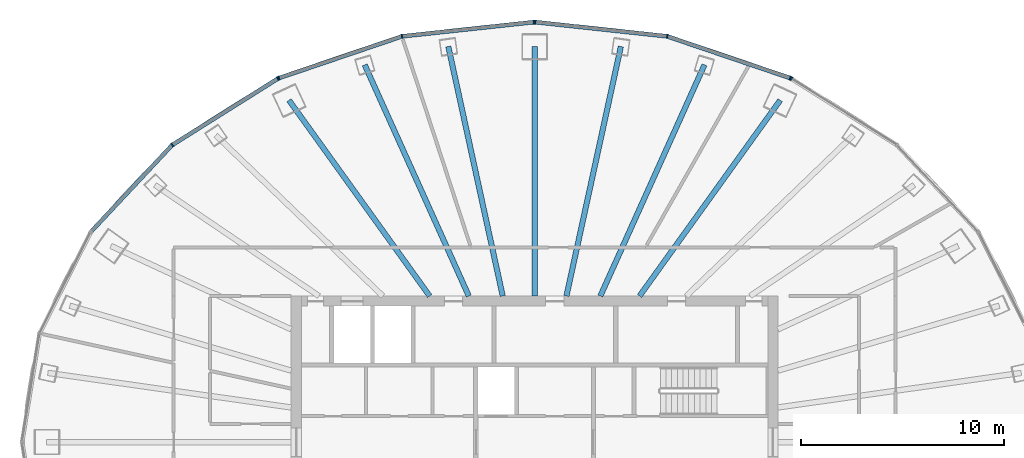
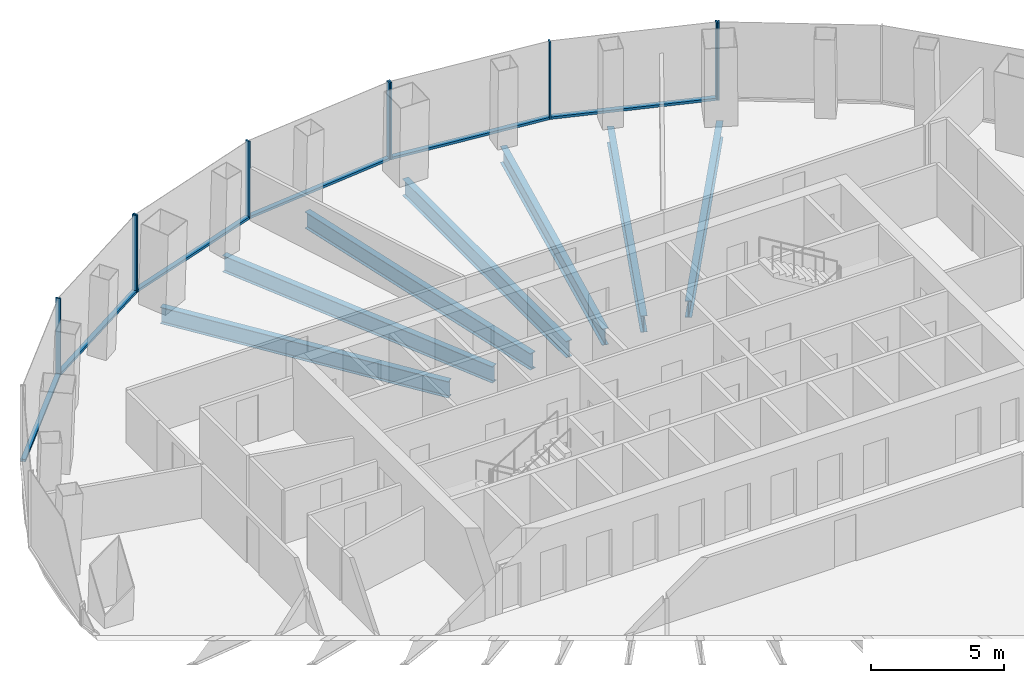
# One storey, part 5 of 11: 15 members, 7 beams, 4 elements without a shape of their own.
"""IFC4 building model written with IfcOpenShell, lengths in metres."""

from ifc_helpers import new_model, si_unit, direction, frame, origin, origin_2d, place, context, subcontext, project, spatial, rectangle, i_section, extrude, material, layer, layer_set, material_profile, profile_set, type_object, element, aggregate, save


model = new_model("IFC4")

# Units and contexts
model_context = context("Model", 3, precision=1e-05, world=origin(), true_north=direction((0.0, 1.0)))
body_context = subcontext(model_context, "Body", "Model", "MODEL_VIEW")
ifc_project = project(units=[si_unit("LENGTHUNIT", "METRE"), si_unit("AREAUNIT", "SQUARE_METRE"), si_unit("VOLUMEUNIT", "CUBIC_METRE"), si_unit("PLANEANGLEUNIT", "RADIAN"), si_unit("MASSUNIT", "GRAM", prefix="KILO")], contexts=[model_context])

# Site, building, storey
site_placement = place(None, origin())
site = spatial("IfcSite", under=ifc_project, at=site_placement, CompositionType="ELEMENT")
building_placement = place(site_placement, origin())
building = spatial("IfcBuilding", under=site, at=building_placement, Name="Siaravel Broadcast Tower", CompositionType="ELEMENT")
storey_placement = place(building_placement, frame((0.0, 0.0, 126.699951171875)))
storey = spatial("IfcBuildingStorey", under=building, at=storey_placement, Name="L30", CompositionType="ELEMENT", Elevation=126.699951171875)

# Beams
ifc_material_1 = material(Name="Steel S355", Category="steel")
ifc_material_profile_1 = material_profile(ifc_material_1, i_section(OverallWidth=0.26513671875, OverallDepth=0.75390625, WebThickness=0.0126953125, FlangeThickness=0.017578125, FilletRadius=0.0166015625, at=origin_2d()))
ifc_profile_set_1 = profile_set([ifc_material_profile_1], Name="Steel S355")
beam_type = type_object("IfcBeamType", Name="BM-UB 762x267x147", PredefinedType="BEAM", material=ifc_profile_set_1)
beam_1_placement = place(storey_placement, frame((12.1083984375, 16.851318359375, -0.52685546875), z_axis=(-0.583519214, -0.812099333, 0.0), x_axis=(0.812099333, -0.583519214, 0.0)))
element("IfcBeam", 1, at=beam_1_placement, inside=storey, type_object=beam_type, Name="Radial beam RB07", PredefinedType="BEAM", context=body_context, shape_type="SweptSolid", body=[
    extrude(i_section(OverallWidth=0.26513671875, OverallDepth=0.75390625, WebThickness=0.0126953125, FlangeThickness=0.017578125, FilletRadius=0.0166015625, at=origin_2d()), origin(), (0.0, 0.0, 1.0), 11.884521484375),
])
beam_2_placement = place(storey_placement, frame((8.375732421875, 18.59716796875, -0.52685546875), z_axis=(-0.410651337, -0.911792454, 0.0), x_axis=(0.911792454, -0.410651337, 0.0)))
element("IfcBeam", 2, at=beam_2_placement, inside=storey, type_object=beam_type, Name="Radial beam RB08", PredefinedType="BEAM", context=body_context, shape_type="SweptSolid", body=[
    extrude(i_section(OverallWidth=0.26513671875, OverallDepth=0.75390625, WebThickness=0.0126953125, FlangeThickness=0.017578125, FilletRadius=0.0166015625, at=origin_2d()), origin(), (0.0, 0.0, 1.0), 12.499755859375),
])
beam_3_placement = place(storey_placement, frame((4.254150390625, 19.501708984375, -0.52685546875), z_axis=(-0.213134769, -0.97702281, 0.0), x_axis=(0.97702281, -0.213134769, 0.0)))
element("IfcBeam", 3, at=beam_3_placement, inside=storey, type_object=beam_type, Name="Radial beam RB09", PredefinedType="BEAM", context=body_context, shape_type="SweptSolid", body=[
    extrude(i_section(OverallWidth=0.26513671875, OverallDepth=0.75390625, WebThickness=0.0126953125, FlangeThickness=0.017578125, FilletRadius=0.0166015625, at=origin_2d()), origin(), (0.0, 0.0, 1.0), 12.591064453125),
])
beam_4_placement = place(storey_placement, frame((0.0, 19.506591796875, -0.52685546875), z_axis=(0.0, -1.0, 0.0), x_axis=(1.0, 0.0, 0.0)))
element("IfcBeam", 4, at=beam_4_placement, inside=storey, type_object=beam_type, Name="Radial beam RB10", PredefinedType="BEAM", context=body_context, shape_type="SweptSolid", body=[
    extrude(i_section(OverallWidth=0.26513671875, OverallDepth=0.75390625, WebThickness=0.0126953125, FlangeThickness=0.017578125, FilletRadius=0.0166015625, at=origin_2d()), origin(), (0.0, 0.0, 1.0), 12.306640625),
])
beam_5_placement = place(storey_placement, frame((-4.254150390625, 19.501708984375, -0.52685546875), z_axis=(0.213134769, -0.97702281, 0.0), x_axis=(0.97702281, 0.213134769, 0.0)))
element("IfcBeam", 5, at=beam_5_placement, inside=storey, type_object=beam_type, Name="Radial beam RB11", PredefinedType="BEAM", context=body_context, shape_type="SweptSolid", body=[
    extrude(i_section(OverallWidth=0.26513671875, OverallDepth=0.75390625, WebThickness=0.0126953125, FlangeThickness=0.017578125, FilletRadius=0.0166015625, at=origin_2d()), origin(), (0.0, 0.0, 1.0), 12.591064453125),
])
beam_6_placement = place(storey_placement, frame((-8.375732421875, 18.59716796875, -0.52685546875), z_axis=(0.410651337, -0.911792454, 0.0), x_axis=(0.911792454, 0.410651337, 0.0)))
element("IfcBeam", 6, at=beam_6_placement, inside=storey, type_object=beam_type, Name="Radial beam RB12", PredefinedType="BEAM", context=body_context, shape_type="SweptSolid", body=[
    extrude(i_section(OverallWidth=0.26513671875, OverallDepth=0.75390625, WebThickness=0.0126953125, FlangeThickness=0.017578125, FilletRadius=0.0166015625, at=origin_2d()), origin(), (0.0, 0.0, 1.0), 12.499755859375),
])
beam_7_placement = place(storey_placement, frame((-12.1083984375, 16.851318359375, -0.52685546875), z_axis=(0.583519214, -0.812099333, 0.0), x_axis=(0.812099333, 0.583519214, 0.0)))
element("IfcBeam", 7, at=beam_7_placement, inside=storey, type_object=beam_type, Name="Radial beam RB13", PredefinedType="BEAM", context=body_context, shape_type="SweptSolid", body=[
    extrude(i_section(OverallWidth=0.26513671875, OverallDepth=0.75390625, WebThickness=0.0126953125, FlangeThickness=0.017578125, FilletRadius=0.0166015625, at=origin_2d()), origin(), (0.0, 0.0, 1.0), 11.884521484375),
])

# Curtain wall, member
ifc_material_2 = material(Name="Aluminium 6063-T6", Category="aluminium")
ifc_layer = layer(ifc_material_2, 0.199951171875)
ifc_layer_set = layer_set([ifc_layer], Name="Aluminium 6063-T6")
curtain_wall_type = type_object("IfcCurtainWallType", Name="Unitised curtain wall, zone 2", PredefinedType="NOTDEFINED", material=ifc_layer_set)
curtain_wall_1_placement = place(storey_placement, origin())
curtain_wall_1 = element("IfcCurtainWall", 8, at=curtain_wall_1_placement, inside=storey, type_object=curtain_wall_type, Name="L30 Unitised curtain wall, zone 2 02", PredefinedType="NOTDEFINED")
ifc_material_profile_2 = material_profile(ifc_material_2, rectangle(XDim=0.199951171875, YDim=0.06494140625, at=origin_2d()))
ifc_profile_set_2 = profile_set([ifc_material_profile_2], Name="Aluminium 6063-T6")
member_type_1 = type_object("IfcMemberType", Name="CW-Z2 mullion", PredefinedType="MULLION", material=ifc_profile_set_2)
member_1_placement = place(storey_placement, frame((12.659423828125, 17.9189453125, 0.0), z_axis=(0.0, 0.0, 1.0), x_axis=(-0.532149141, -0.846650632, 0.0)))
member_1 = element("IfcMember", 9, at=member_1_placement, type_object=member_type_1, Name="CW-Z2 mullion 3", PredefinedType="MULLION", context=body_context, shape_type="SweptSolid", body=[
    extrude(rectangle(XDim=0.199951171875, YDim=0.06494140625, at=origin_2d()), origin(), (0.0, 0.0, 1.0), 3.550048828125),
])
aggregate(curtain_wall_1, [member_1])

# Curtain wall, members
curtain_wall_2_placement = place(storey_placement, origin())
curtain_wall_2 = element("IfcCurtainWall", 10, at=curtain_wall_2_placement, inside=storey, type_object=curtain_wall_type, Name="L30 Unitised curtain wall, zone 2 03", PredefinedType="NOTDEFINED")
member_2_placement = place(storey_placement, frame((12.60107421875, 17.94677734375, 0.0), z_axis=(0.0, 0.0, 1.0), x_axis=(-0.321300596, -0.946977258, 0.0)))
member_2 = element("IfcMember", 11, at=member_2_placement, type_object=member_type_1, Name="CW-Z2 mullion 1", PredefinedType="MULLION", context=body_context, shape_type="SweptSolid", body=[
    extrude(rectangle(XDim=0.199951171875, YDim=0.06494140625, at=origin_2d()), origin(), (0.0, 0.0, 1.0), 3.550048828125),
])
member_3_placement = place(storey_placement, frame((6.538330078125, 20.00390625, 0.0), z_axis=(0.0, 0.0, 1.0), x_axis=(-0.215558052, -0.976491027, 0.0)))
member_3 = element("IfcMember", 12, at=member_3_placement, type_object=member_type_1, Name="CW-Z2 mullion 2", PredefinedType="MULLION", context=body_context, shape_type="SweptSolid", body=[
    extrude(rectangle(XDim=0.199951171875, YDim=0.06494140625, at=origin_2d()), origin(), (0.0, 0.0, 1.0), 3.550048828125),
])
member_4_placement = place(storey_placement, frame((0.0322265625, 20.705322265625, 0.0), z_axis=(0.0, 0.0, 1.0), x_axis=(-0.107217485, -0.994235591, 0.0)))
member_4 = element("IfcMember", 13, at=member_4_placement, type_object=member_type_1, Name="CW-Z2 mullion 3", PredefinedType="MULLION", context=body_context, shape_type="SweptSolid", body=[
    extrude(rectangle(XDim=0.199951171875, YDim=0.06494140625, at=origin_2d()), origin(), (0.0, 0.0, 1.0), 3.550048828125),
])

curtain_wall_3_placement = place(storey_placement, origin())
curtain_wall_3 = element("IfcCurtainWall", 14, at=curtain_wall_3_placement, inside=storey, type_object=curtain_wall_type, Name="L30 Unitised curtain wall, zone 2 04", PredefinedType="NOTDEFINED")
member_5_placement = place(storey_placement, frame((-0.0322265625, 20.705322265625, 0.0), z_axis=(0.0, 0.0, 1.0), x_axis=(0.107217485, -0.994235591, 0.0)))
member_5 = element("IfcMember", 15, at=member_5_placement, type_object=member_type_1, Name="CW-Z2 mullion 1", PredefinedType="MULLION", context=body_context, shape_type="SweptSolid", body=[
    extrude(rectangle(XDim=0.199951171875, YDim=0.06494140625, at=origin_2d()), origin(), (0.0, 0.0, 1.0), 3.550048828125),
])
member_6_placement = place(storey_placement, frame((-6.538330078125, 20.00390625, 0.0), z_axis=(0.0, 0.0, 1.0), x_axis=(0.215558052, -0.976491027, 0.0)))
member_6 = element("IfcMember", 16, at=member_6_placement, type_object=member_type_1, Name="CW-Z2 mullion 2", PredefinedType="MULLION", context=body_context, shape_type="SweptSolid", body=[
    extrude(rectangle(XDim=0.199951171875, YDim=0.06494140625, at=origin_2d()), origin(), (0.0, 0.0, 1.0), 3.550048828125),
])
member_7_placement = place(storey_placement, frame((-12.60107421875, 17.94677734375, 0.0), z_axis=(0.0, 0.0, 1.0), x_axis=(0.321300596, -0.946977258, 0.0)))
member_7 = element("IfcMember", 17, at=member_7_placement, type_object=member_type_1, Name="CW-Z2 mullion 3", PredefinedType="MULLION", context=body_context, shape_type="SweptSolid", body=[
    extrude(rectangle(XDim=0.199951171875, YDim=0.06494140625, at=origin_2d()), origin(), (0.0, 0.0, 1.0), 3.550048828125),
])

curtain_wall_4_placement = place(storey_placement, origin())
curtain_wall_4 = element("IfcCurtainWall", 18, at=curtain_wall_4_placement, inside=storey, type_object=curtain_wall_type, Name="L30 Unitised curtain wall, zone 2 05", PredefinedType="NOTDEFINED")
member_8_placement = place(storey_placement, frame((-12.659423828125, 17.9189453125, 0.0), z_axis=(0.0, 0.0, 1.0), x_axis=(0.532149141, -0.846650632, 0.0)))
member_8 = element("IfcMember", 19, at=member_8_placement, type_object=member_type_1, Name="CW-Z2 mullion 1", PredefinedType="MULLION", context=body_context, shape_type="SweptSolid", body=[
    extrude(rectangle(XDim=0.199951171875, YDim=0.06494140625, at=origin_2d()), origin(), (0.0, 0.0, 1.0), 3.550048828125),
])
member_9_placement = place(storey_placement, frame((-17.86572265625, 14.646728515625, 0.0), z_axis=(0.0, 0.0, 1.0), x_axis=(0.636218518, -0.771508909, 0.0)))
member_9 = element("IfcMember", 20, at=member_9_placement, type_object=member_type_1, Name="CW-Z2 mullion 2", PredefinedType="MULLION", context=body_context, shape_type="SweptSolid", body=[
    extrude(rectangle(XDim=0.199951171875, YDim=0.06494140625, at=origin_2d()), origin(), (0.0, 0.0, 1.0), 3.550048828125),
])

# Member
ifc_material_profile_3 = material_profile(ifc_material_2, rectangle(XDim=0.199951171875, YDim=0.110107421875, at=origin_2d()))
ifc_profile_set_3 = profile_set([ifc_material_profile_3], Name="Aluminium 6063-T6")
member_type_2 = type_object("IfcMemberType", Name="CW-Z2 transom", PredefinedType="USERDEFINED", material=ifc_profile_set_3)
member_10_placement = place(storey_placement, frame((12.5703125, 17.957275390625, 0.054931640625), z_axis=(-0.946978491, 0.321296962, 0.0), x_axis=(-0.321296962, -0.946978491, 0.0)))
member_10 = element("IfcMember", 21, at=member_10_placement, type_object=member_type_2, Name="CW-Z2 transom 1", ObjectType="TRANSOM", PredefinedType="USERDEFINED", context=body_context, shape_type="SweptSolid", body=[
    extrude(rectangle(XDim=0.199951171875, YDim=0.110107421875, at=origin_2d()), origin(), (0.0, 0.0, 1.0), 6.337158203125),
])

member_11_placement = place(storey_placement, frame((6.506103515625, 20.00732421875, 0.054931640625), z_axis=(-0.994236504, 0.107209023, 0.0), x_axis=(-0.107209023, -0.994236504, 0.0)))
member_11 = element("IfcMember", 22, at=member_11_placement, type_object=member_type_2, Name="CW-Z2 transom 2", ObjectType="TRANSOM", PredefinedType="USERDEFINED", context=body_context, shape_type="SweptSolid", body=[
    extrude(rectangle(XDim=0.199951171875, YDim=0.110107421875, at=origin_2d()), origin(), (0.0, 0.0, 1.0), 6.478759765625),
])

aggregate(curtain_wall_2, [member_2, member_3, member_4, member_10, member_11])

member_12_placement = place(storey_placement, frame((-0.064697265625, 20.701904296875, 0.054931640625), z_axis=(-0.994236504, -0.107209023, 0.0), x_axis=(0.107209023, -0.994236504, 0.0)))
member_12 = element("IfcMember", 23, at=member_12_placement, type_object=member_type_2, Name="CW-Z2 transom 1", ObjectType="TRANSOM", PredefinedType="USERDEFINED", context=body_context, shape_type="SweptSolid", body=[
    extrude(rectangle(XDim=0.199951171875, YDim=0.110107421875, at=origin_2d()), origin(), (0.0, 0.0, 1.0), 6.478759765625),
])

member_13_placement = place(storey_placement, frame((-6.569091796875, 19.993408203125, 0.054931640625), z_axis=(-0.946978491, -0.321296962, 0.0), x_axis=(0.321296962, -0.946978491, 0.0)))
member_13 = element("IfcMember", 24, at=member_13_placement, type_object=member_type_2, Name="CW-Z2 transom 2", ObjectType="TRANSOM", PredefinedType="USERDEFINED", context=body_context, shape_type="SweptSolid", body=[
    extrude(rectangle(XDim=0.199951171875, YDim=0.110107421875, at=origin_2d()), origin(), (0.0, 0.0, 1.0), 6.337158203125),
])

aggregate(curtain_wall_3, [member_5, member_6, member_7, member_12, member_13])

member_14_placement = place(storey_placement, frame((-12.68701171875, 17.901611328125, 0.054931640625), z_axis=(-0.846658761, -0.532136207, 0.0), x_axis=(0.532136207, -0.846658761, 0.0)))
member_14 = element("IfcMember", 25, at=member_14_placement, type_object=member_type_2, Name="CW-Z2 transom 1", ObjectType="TRANSOM", PredefinedType="USERDEFINED", context=body_context, shape_type="SweptSolid", body=[
    extrude(rectangle(XDim=0.199951171875, YDim=0.110107421875, at=origin_2d()), origin(), (0.0, 0.0, 1.0), 6.083984375),
])

member_15_placement = place(storey_placement, frame((-17.887939453125, 14.623046875, 0.054931640625), z_axis=(-0.683640317, -0.729819099, 0.0), x_axis=(0.729819099, -0.683640317, 0.0)))
member_15 = element("IfcMember", 26, at=member_15_placement, type_object=member_type_2, Name="CW-Z2 transom 2", ObjectType="TRANSOM", PredefinedType="USERDEFINED", context=body_context, shape_type="SweptSolid", body=[
    extrude(rectangle(XDim=0.199951171875, YDim=0.110107421875, at=origin_2d()), origin(), (0.0, 0.0, 1.0), 5.778564453125),
])

aggregate(curtain_wall_4, [member_8, member_9, member_14, member_15])

save(model, "model.ifc")
